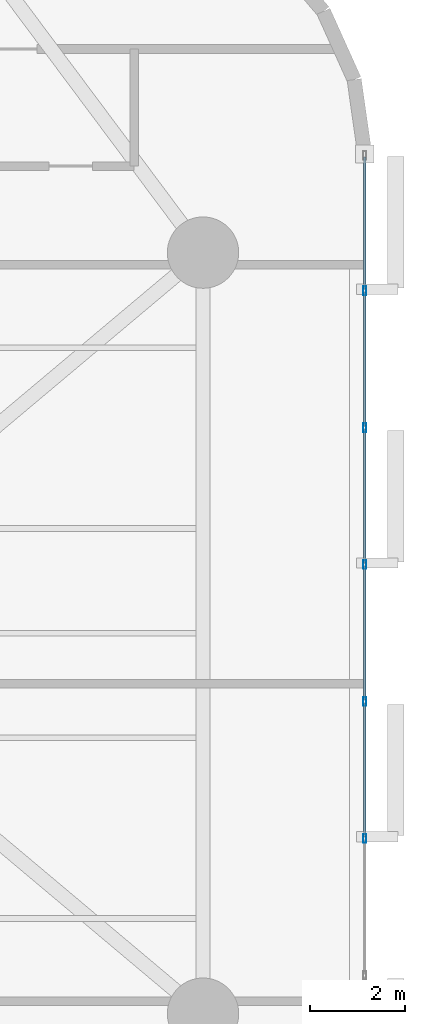
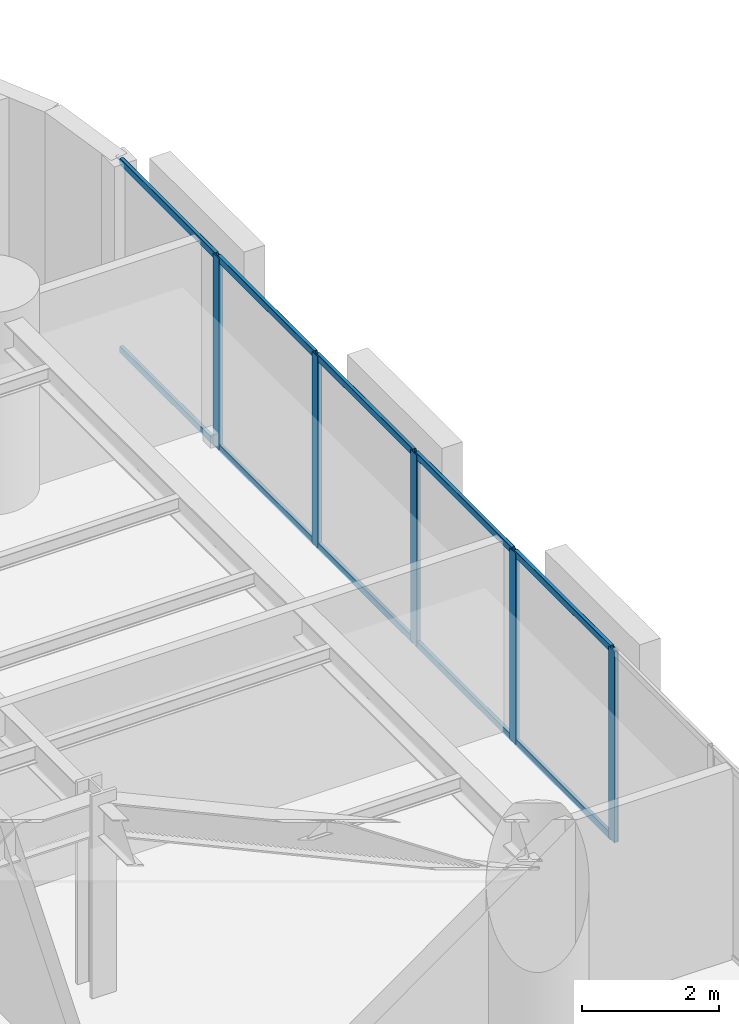
# One storey, part 6 of 16: 15 members, 1 element without a shape of its own.
"""IFC4 building model written with IfcOpenShell, lengths in metres."""

from ifc_helpers import new_model, si_unit, direction, frame, origin, origin_2d, place, context, subcontext, project, spatial, hollow_rectangle, extrude, material, layer, layer_set, material_profile, profile_set, type_object, element, aggregate, save


model = new_model("IFC4")

# Units and contexts
model_context = context("Model", 3, precision=1e-05, world=origin(), true_north=direction((0.0, 1.0)))
body_context = subcontext(model_context, "Body", "Model", "MODEL_VIEW")
ifc_project = project(units=[si_unit("LENGTHUNIT", "METRE"), si_unit("AREAUNIT", "SQUARE_METRE"), si_unit("VOLUMEUNIT", "CUBIC_METRE"), si_unit("PLANEANGLEUNIT", "RADIAN"), si_unit("MASSUNIT", "GRAM", prefix="KILO")], contexts=[model_context])

# Site, building, storey
site_placement = place(None, origin())
site = spatial("IfcSite", under=ifc_project, at=site_placement, CompositionType="ELEMENT")
building_placement = place(site_placement, origin())
building = spatial("IfcBuilding", under=site, at=building_placement, Name="An Khanh Terracotta Commons", CompositionType="ELEMENT")
storey_placement = place(building_placement, frame((0.0, 0.0, 43.199951171875)))
storey = spatial("IfcBuildingStorey", under=building, at=storey_placement, Name="L11", CompositionType="ELEMENT", Elevation=43.199951171875)

# Curtain wall, members
ifc_material = material(Name="Anodised Aluminium 6063-T6", Category="aluminium")
ifc_layer = layer(ifc_material, 0.199951171875, Name="Anodised Aluminium 6063-T6")
ifc_layer_set = layer_set([ifc_layer], Name="Anodised Aluminium 6063-T6")
curtain_wall_type = type_object("IfcCurtainWallType", Name="CW-SYS-02", PredefinedType="USERDEFINED", material=ifc_layer_set)
curtain_wall_placement = place(storey_placement, origin())
curtain_wall = element("IfcCurtainWall", 1, at=curtain_wall_placement, inside=storey, type_object=curtain_wall_type, Name="L11 CW-02 Unitised Curtain Wall CW-L11-12", ObjectType="UNITISED CURTAIN WALL", PredefinedType="USERDEFINED")
ifc_material_profile_1 = material_profile(ifc_material, hollow_rectangle(XDim=0.070068359375, YDim=0.179931640625, WallThickness=0.00390625, InnerFilletRadius=0.00390625, OuterFilletRadius=0.008056640625, at=origin_2d()), Name="RHS180x70x4")
ifc_profile_set_1 = profile_set([ifc_material_profile_1], Name="Anodised Aluminium 6063-T6")
member_type_1 = type_object("IfcMemberType", Name="CWM-RHS180x70x4", PredefinedType="MULLION", material=ifc_profile_set_1)
member_1_placement = place(storey_placement, frame((51.60009765625, 19.681396484375, 0.0), z_axis=(0.0, 0.0, 1.0), x_axis=(-1.0, 0.0, 0.0)))
member_1 = element("IfcMember", 2, at=member_1_placement, type_object=member_type_1, Name="CW-02 mullion 3", PredefinedType="MULLION", context=body_context, shape_type="SweptSolid", body=[
    extrude(hollow_rectangle(XDim=0.070068359375, YDim=0.179931640625, WallThickness=0.00390625, InnerFilletRadius=0.00390625, OuterFilletRadius=0.008056640625, at=origin_2d()), origin(), (0.0, 0.0, 1.0), 3.400146484375),
])
member_2_placement = place(storey_placement, frame((51.60009765625, 22.560546875, 0.0), z_axis=(0.0, 0.0, 1.0), x_axis=(-1.0, 0.0, 0.0)))
member_2 = element("IfcMember", 3, at=member_2_placement, type_object=member_type_1, Name="CW-02 mullion 4", PredefinedType="MULLION", context=body_context, shape_type="SweptSolid", body=[
    extrude(hollow_rectangle(XDim=0.070068359375, YDim=0.179931640625, WallThickness=0.00390625, InnerFilletRadius=0.00390625, OuterFilletRadius=0.008056640625, at=origin_2d()), origin(), (0.0, 0.0, 1.0), 3.400146484375),
])
member_3_placement = place(storey_placement, frame((51.60009765625, 25.439453125, 0.0), z_axis=(0.0, 0.0, 1.0), x_axis=(-1.0, 0.0, 0.0)))
member_3 = element("IfcMember", 4, at=member_3_placement, type_object=member_type_1, Name="CW-02 mullion 5", PredefinedType="MULLION", context=body_context, shape_type="SweptSolid", body=[
    extrude(hollow_rectangle(XDim=0.070068359375, YDim=0.179931640625, WallThickness=0.00390625, InnerFilletRadius=0.00390625, OuterFilletRadius=0.008056640625, at=origin_2d()), origin(), (0.0, 0.0, 1.0), 3.400146484375),
])
member_4_placement = place(storey_placement, frame((51.60009765625, 28.318603515625, 0.0), z_axis=(0.0, 0.0, 1.0), x_axis=(-1.0, 0.0, 0.0)))
member_4 = element("IfcMember", 5, at=member_4_placement, type_object=member_type_1, Name="CW-02 mullion 6", PredefinedType="MULLION", context=body_context, shape_type="SweptSolid", body=[
    extrude(hollow_rectangle(XDim=0.070068359375, YDim=0.179931640625, WallThickness=0.00390625, InnerFilletRadius=0.00390625, OuterFilletRadius=0.008056640625, at=origin_2d()), origin(), (0.0, 0.0, 1.0), 3.400146484375),
])
member_5_placement = place(storey_placement, frame((51.60009765625, 31.19775390625, 0.0), z_axis=(0.0, 0.0, 1.0), x_axis=(-1.0, 0.0, 0.0)))
member_5 = element("IfcMember", 6, at=member_5_placement, type_object=member_type_1, Name="CW-02 mullion 7", PredefinedType="MULLION", context=body_context, shape_type="SweptSolid", body=[
    extrude(hollow_rectangle(XDim=0.070068359375, YDim=0.179931640625, WallThickness=0.00390625, InnerFilletRadius=0.00390625, OuterFilletRadius=0.008056640625, at=origin_2d()), origin(), (0.0, 0.0, 1.0), 3.400146484375),
])
ifc_material_profile_2 = material_profile(ifc_material, hollow_rectangle(XDim=0.06005859375, YDim=0.1201171875, WallThickness=0.003662109375, InnerFilletRadius=0.003662109375, OuterFilletRadius=0.007080078125, at=origin_2d()), Name="RHS120x60x3.6")
ifc_profile_set_2 = profile_set([ifc_material_profile_2], Name="Anodised Aluminium 6063-T6")
member_type_2 = type_object("IfcMemberType", Name="CWT-RHS120x60x3.6", PredefinedType="USERDEFINED", material=ifc_profile_set_2)
member_6_placement = place(storey_placement, frame((51.60009765625, 19.71630859375, 0.030029296875), z_axis=(0.0, 1.0, 0.0), x_axis=(-1.0, 0.0, 0.0)))
member_6 = element("IfcMember", 7, at=member_6_placement, type_object=member_type_2, Name="CW-02 transom 3.1", ObjectType="TRANSOM", PredefinedType="USERDEFINED", context=body_context, shape_type="SweptSolid", body=[
    extrude(hollow_rectangle(XDim=0.06005859375, YDim=0.1201171875, WallThickness=0.003662109375, InnerFilletRadius=0.003662109375, OuterFilletRadius=0.007080078125, at=origin_2d()), origin(), (0.0, 0.0, 1.0), 2.80908203125),
])
member_7_placement = place(storey_placement, frame((51.60009765625, 19.71630859375, 3.3701171875), z_axis=(0.0, 1.0, 0.0), x_axis=(-1.0, 0.0, 0.0)))
member_7 = element("IfcMember", 8, at=member_7_placement, type_object=member_type_2, Name="CW-02 transom 3.2", ObjectType="TRANSOM", PredefinedType="USERDEFINED", context=body_context, shape_type="SweptSolid", body=[
    extrude(hollow_rectangle(XDim=0.06005859375, YDim=0.1201171875, WallThickness=0.003662109375, InnerFilletRadius=0.003662109375, OuterFilletRadius=0.007080078125, at=origin_2d()), origin(), (0.0, 0.0, 1.0), 2.80908203125),
])
member_8_placement = place(storey_placement, frame((51.60009765625, 22.595458984375, 0.030029296875), z_axis=(0.0, 1.0, 0.0), x_axis=(-1.0, 0.0, 0.0)))
member_8 = element("IfcMember", 9, at=member_8_placement, type_object=member_type_2, Name="CW-02 transom 4.1", ObjectType="TRANSOM", PredefinedType="USERDEFINED", context=body_context, shape_type="SweptSolid", body=[
    extrude(hollow_rectangle(XDim=0.06005859375, YDim=0.1201171875, WallThickness=0.003662109375, InnerFilletRadius=0.003662109375, OuterFilletRadius=0.007080078125, at=origin_2d()), origin(), (0.0, 0.0, 1.0), 2.80908203125),
])
member_9_placement = place(storey_placement, frame((51.60009765625, 22.595458984375, 3.3701171875), z_axis=(0.0, 1.0, 0.0), x_axis=(-1.0, 0.0, 0.0)))
member_9 = element("IfcMember", 10, at=member_9_placement, type_object=member_type_2, Name="CW-02 transom 4.2", ObjectType="TRANSOM", PredefinedType="USERDEFINED", context=body_context, shape_type="SweptSolid", body=[
    extrude(hollow_rectangle(XDim=0.06005859375, YDim=0.1201171875, WallThickness=0.003662109375, InnerFilletRadius=0.003662109375, OuterFilletRadius=0.007080078125, at=origin_2d()), origin(), (0.0, 0.0, 1.0), 2.80908203125),
])
member_10_placement = place(storey_placement, frame((51.60009765625, 25.474609375, 0.030029296875), z_axis=(0.0, 1.0, 0.0), x_axis=(-1.0, 0.0, 0.0)))
member_10 = element("IfcMember", 11, at=member_10_placement, type_object=member_type_2, Name="CW-02 transom 5.1", ObjectType="TRANSOM", PredefinedType="USERDEFINED", context=body_context, shape_type="SweptSolid", body=[
    extrude(hollow_rectangle(XDim=0.06005859375, YDim=0.1201171875, WallThickness=0.003662109375, InnerFilletRadius=0.003662109375, OuterFilletRadius=0.007080078125, at=origin_2d()), origin(), (0.0, 0.0, 1.0), 2.80908203125),
])
member_11_placement = place(storey_placement, frame((51.60009765625, 25.474609375, 3.3701171875), z_axis=(0.0, 1.0, 0.0), x_axis=(-1.0, 0.0, 0.0)))
member_11 = element("IfcMember", 12, at=member_11_placement, type_object=member_type_2, Name="CW-02 transom 5.2", ObjectType="TRANSOM", PredefinedType="USERDEFINED", context=body_context, shape_type="SweptSolid", body=[
    extrude(hollow_rectangle(XDim=0.06005859375, YDim=0.1201171875, WallThickness=0.003662109375, InnerFilletRadius=0.003662109375, OuterFilletRadius=0.007080078125, at=origin_2d()), origin(), (0.0, 0.0, 1.0), 2.80908203125),
])
member_12_placement = place(storey_placement, frame((51.60009765625, 28.353759765625, 0.030029296875), z_axis=(0.0, 1.0, 0.0), x_axis=(-1.0, 0.0, 0.0)))
member_12 = element("IfcMember", 13, at=member_12_placement, type_object=member_type_2, Name="CW-02 transom 6.1", ObjectType="TRANSOM", PredefinedType="USERDEFINED", context=body_context, shape_type="SweptSolid", body=[
    extrude(hollow_rectangle(XDim=0.06005859375, YDim=0.1201171875, WallThickness=0.003662109375, InnerFilletRadius=0.003662109375, OuterFilletRadius=0.007080078125, at=origin_2d()), origin(), (0.0, 0.0, 1.0), 2.80908203125),
])
member_13_placement = place(storey_placement, frame((51.60009765625, 28.353759765625, 3.3701171875), z_axis=(0.0, 1.0, 0.0), x_axis=(-1.0, 0.0, 0.0)))
member_13 = element("IfcMember", 14, at=member_13_placement, type_object=member_type_2, Name="CW-02 transom 6.2", ObjectType="TRANSOM", PredefinedType="USERDEFINED", context=body_context, shape_type="SweptSolid", body=[
    extrude(hollow_rectangle(XDim=0.06005859375, YDim=0.1201171875, WallThickness=0.003662109375, InnerFilletRadius=0.003662109375, OuterFilletRadius=0.007080078125, at=origin_2d()), origin(), (0.0, 0.0, 1.0), 2.80908203125),
])
member_14_placement = place(storey_placement, frame((51.60009765625, 31.23291015625, 0.030029296875), z_axis=(0.0, 1.0, 0.0), x_axis=(-1.0, 0.0, 0.0)))
member_14 = element("IfcMember", 15, at=member_14_placement, type_object=member_type_2, Name="CW-02 transom 7.1", ObjectType="TRANSOM", PredefinedType="USERDEFINED", context=body_context, shape_type="SweptSolid", body=[
    extrude(hollow_rectangle(XDim=0.06005859375, YDim=0.1201171875, WallThickness=0.003662109375, InnerFilletRadius=0.003662109375, OuterFilletRadius=0.007080078125, at=origin_2d()), origin(), (0.0, 0.0, 1.0), 2.774169921875),
])
member_15_placement = place(storey_placement, frame((51.60009765625, 31.23291015625, 3.3701171875), z_axis=(0.0, 1.0, 0.0), x_axis=(-1.0, 0.0, 0.0)))
member_15 = element("IfcMember", 16, at=member_15_placement, type_object=member_type_2, Name="CW-02 transom 7.2", ObjectType="TRANSOM", PredefinedType="USERDEFINED", context=body_context, shape_type="SweptSolid", body=[
    extrude(hollow_rectangle(XDim=0.06005859375, YDim=0.1201171875, WallThickness=0.003662109375, InnerFilletRadius=0.003662109375, OuterFilletRadius=0.007080078125, at=origin_2d()), origin(), (0.0, 0.0, 1.0), 2.774169921875),
])
aggregate(curtain_wall, [member_1, member_2, member_3, member_4, member_5, member_6, member_7, member_8, member_9, member_10, member_11, member_12, member_13, member_14, member_15])

save(model, "model.ifc")
